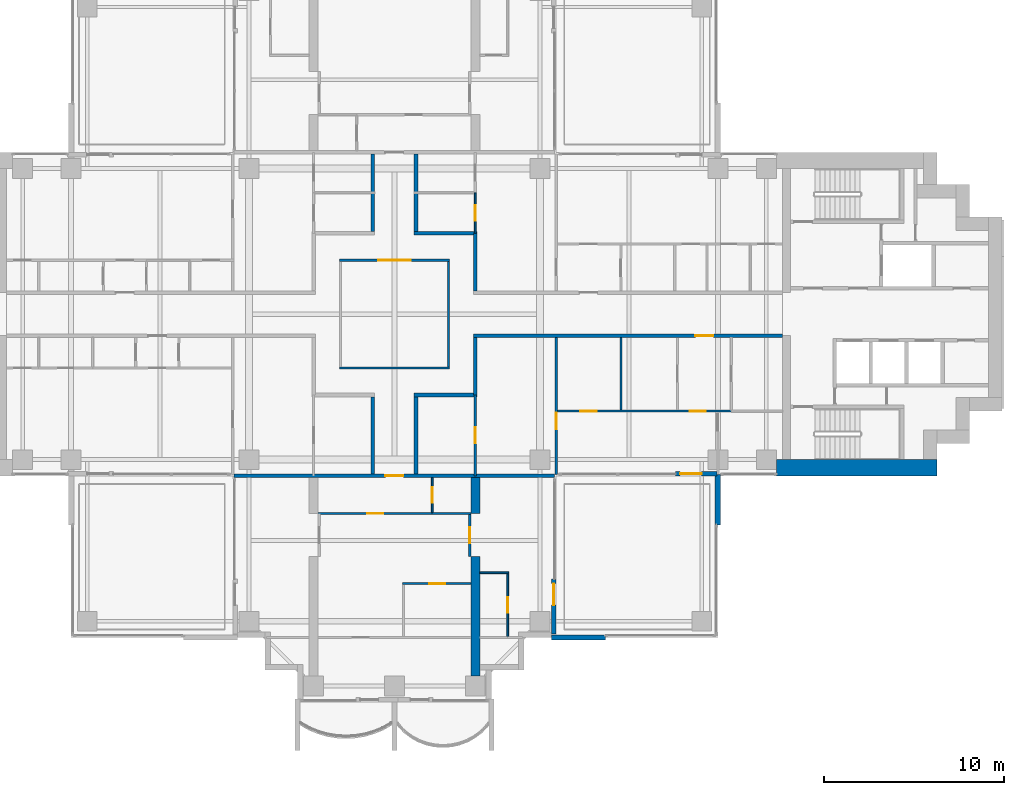
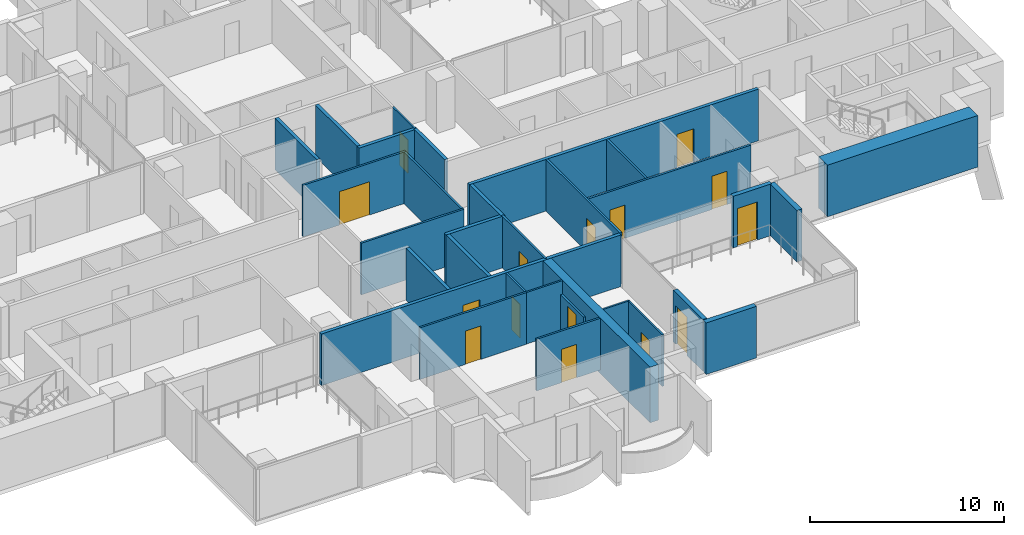
# One storey, part 11 of 19: 31 walls, 15 doors, 15 openings.
"""IFC4 building model written with IfcOpenShell, lengths in metres."""

from ifc_helpers import new_model, si_unit, direction, frame, frame_2d, origin, place, context, subcontext, project, spatial, polyline, rectangle, outline, extrude, material, layer, layer_set, material_profile, profile_set, type_object, element, fill, save


model = new_model("IFC4")

# Units and contexts
model_context = context("Model", 3, precision=1e-05, world=origin(), true_north=direction((0.0, 1.0)))
body_context = subcontext(model_context, "Body", "Model", "MODEL_VIEW")
ifc_project = project(units=[si_unit("LENGTHUNIT", "METRE"), si_unit("AREAUNIT", "SQUARE_METRE"), si_unit("VOLUMEUNIT", "CUBIC_METRE"), si_unit("PLANEANGLEUNIT", "RADIAN"), si_unit("MASSUNIT", "GRAM", prefix="KILO")], contexts=[model_context])

# Site, building, storey
site_placement = place(None, origin())
site = spatial("IfcSite", under=ifc_project, at=site_placement, CompositionType="ELEMENT")
building_placement = place(site_placement, origin())
building = spatial("IfcBuilding", under=site, at=building_placement, Name="Perihelion Cross Residences", CompositionType="ELEMENT")
storey_placement = place(building_placement, frame((0.0, 0.0, 109.39990234375)))
storey = spatial("IfcBuildingStorey", under=building, at=storey_placement, Name="L25", CompositionType="ELEMENT", Elevation=109.39990234375)

# Walls
ifc_material_1 = material(Name="Plasterboard partition")
ifc_layer_1 = layer(ifc_material_1, 0.199951171875)
ifc_layer_set_1 = layer_set([ifc_layer_1], Name="Apartment separation wall 200")
wall_type_1 = type_object("IfcWallType", Name="Apartment separation wall 200", PredefinedType="PARTITIONING", material=ifc_layer_set_1)
wall_1_placement = place(storey_placement, frame((4.5, 4.5, 0.0), z_axis=(0.0, 0.0, 1.0), x_axis=(0.0, -1.0, 0.0)))
element("IfcWall", 1, at=wall_1_placement, inside=storey, type_object=wall_type_1, Name="Partition L25 W006", PredefinedType="PARTITIONING", context=body_context, shape_type="SweptSolid", body=[
    extrude(rectangle(XDim=3.199951171875, YDim=0.199951171875, at=frame_2d((1.60009765625, 0.0))), origin(), (0.0, 0.0, 1.0), 3.25),
])
wall_2_placement = place(storey_placement, frame((1.199951171875, 8.89990234375, 0.0), z_axis=(0.0, 0.0, 1.0), x_axis=(0.0, -1.0, 0.0)))
element("IfcWall", 2, at=wall_2_placement, inside=storey, type_object=wall_type_1, Name="Partition L25 W007", PredefinedType="PARTITIONING", context=body_context, shape_type="SweptSolid", body=[
    extrude(rectangle(XDim=4.2998046875, YDim=0.199951171875, at=frame_2d((2.14990234375, 0.0))), origin(), (0.0, 0.0, 1.0), 3.25),
])
wall_3_placement = place(storey_placement, frame((1.10009765625, 4.5, 0.0), z_axis=(0.0, 0.0, 1.0), x_axis=(1.0, 0.0, 0.0)))
element("IfcWall", 3, at=wall_3_placement, inside=storey, type_object=wall_type_1, Name="Partition L25 W008", PredefinedType="PARTITIONING", context=body_context, shape_type="SweptSolid", body=[
    extrude(rectangle(XDim=3.5, YDim=0.199951171875, at=frame_2d((1.75, 0.0))), origin(), (0.0, 0.0, 1.0), 3.25),
])

# Wall, opening, door
wall_4_placement = place(storey_placement, frame((21.60009765625, -1.199951171875, 0.0), z_axis=(0.0, 0.0, 1.0), x_axis=(-1.0, 0.0, 0.0)))
wall_4 = element("IfcWall", 4, at=wall_4_placement, inside=storey, type_object=wall_type_1, Name="Partition L25 W009", PredefinedType="PARTITIONING", context=body_context, shape_type="SweptSolid", body=[
    extrude(rectangle(XDim=17.2001953125, YDim=0.199951171875, at=frame_2d((8.60009765625, 0.0))), origin(), (0.0, 0.0, 1.0), 3.25),
])
opening_1_placement = place(wall_4_placement, frame((3.85009765625, 0.0, 0.0)))
opening_1 = element("IfcOpeningElement", 5, at=opening_1_placement, cuts=wall_4, Name="Opening L25.A47", PredefinedType="OPENING", context=body_context, shape_type="SweptSolid", body=[
    extrude(rectangle(XDim=1.0, YDim=2.10009765625, at=frame_2d((0.5, 1.050048828125))), frame((0.0, 0.10986328125, 0.0), z_axis=(0.0, -1.0, 0.0), x_axis=(1.0, 0.0, 0.0)), (0.0, 0.0, 1.0), 0.219970703125),
])
ifc_material_2 = material(Name="Timber door leaf", Category="wood")
door_type_1 = type_object("IfcDoorType", Name="Flat entrance door 1000 x 2100", OperationType="SINGLE_SWING_LEFT", PredefinedType="DOOR", material=ifc_material_2)
door_1_placement = place(opening_1_placement, origin())
door_1 = element("IfcDoor", 6, at=door_1_placement, inside=storey, type_object=door_type_1, Name="Door L25.A47", OperationType="SINGLE_SWING_LEFT", OverallHeight=2.10009765625, OverallWidth=1.0, PredefinedType="DOOR", context=body_context, shape_type="SweptSolid", body=[
    extrude(rectangle(XDim=1.0, YDim=2.10009765625, at=frame_2d((0.5, 1.050048828125))), frame((0.0, 0.02490234375, 0.0), z_axis=(0.0, -1.0, 0.0), x_axis=(1.0, 0.0, 0.0)), (0.0, 0.0, 1.0), 0.050048828125),
])
fill(opening_1, door_1)

# Walls
wall_5_placement = place(storey_placement, frame((4.5, -1.300048828125, 0.0), z_axis=(0.0, 0.0, 1.0), x_axis=(0.0, -1.0, 0.0)))
element("IfcWall", 7, at=wall_5_placement, inside=storey, type_object=wall_type_1, Name="Partition L25 W010", PredefinedType="PARTITIONING", context=body_context, shape_type="SweptSolid", body=[
    extrude(rectangle(XDim=3.199951171875, YDim=0.199951171875, at=frame_2d((1.60009765625, 0.0))), origin(), (0.0, 0.0, 1.0), 3.25),
])
wall_6_placement = place(storey_placement, frame((4.60009765625, -4.5, 0.0), z_axis=(0.0, 0.0, 1.0), x_axis=(-1.0, 0.0, 0.0)))
element("IfcWall", 8, at=wall_6_placement, inside=storey, type_object=wall_type_1, Name="Partition L25 W011", PredefinedType="PARTITIONING", context=body_context, shape_type="SweptSolid", body=[
    extrude(rectangle(XDim=3.5, YDim=0.199951171875, at=frame_2d((1.75, 0.0))), origin(), (0.0, 0.0, 1.0), 3.25),
])
for number, where, z_axis, x_axis, name in (
    (9, (1.199951171875, -4.60009765625, 0.0), (0.0, 0.0, 1.0), (0.0, -1.0, 0.0), "Partition L25 W012"),
    (10, (-1.199951171875, 4.60009765625, 0.0), (0.0, 0.0, 1.0), (0.0, 1.0, 0.0), "Partition L25 W016"),
    (11, (-1.199951171875, -8.89990234375, 0.0), (0.0, 0.0, 1.0), (0.0, 1.0, 0.0), "Partition L25 W019"),
):
    element("IfcWall", number, at=place(storey_placement, frame(where, z_axis=z_axis, x_axis=x_axis)), inside=storey, type_object=wall_type_1, Name=name, PredefinedType="PARTITIONING", context=body_context, shape_type="SweptSolid", body=[
        extrude(rectangle(XDim=4.2998046875, YDim=0.199951171875, at=frame_2d((2.14990234375, 0.0))), origin(), (0.0, 0.0, 1.0), 3.25),
    ])

# Wall, opening, door
wall_7_placement = place(storey_placement, frame((8.919921875, -9.0, 0.0), z_axis=(0.0, 0.0, 1.0), x_axis=(-1.0, 0.0, 0.0)))
wall_7 = element("IfcWall", 12, at=wall_7_placement, inside=storey, type_object=wall_type_1, Name="Partition L25 W022", PredefinedType="PARTITIONING", context=body_context, shape_type="SweptSolid", body=[
    extrude(rectangle(XDim=17.83984375, YDim=0.199951171875, at=frame_2d((8.919921875, 0.0))), origin(), (0.0, 0.0, 1.0), 3.25),
])
opening_2_placement = place(wall_7_placement, frame((8.419921875, 0.0, 0.0)))
opening_2 = element("IfcOpeningElement", 13, at=opening_2_placement, cuts=wall_7, Name="Opening L25.A40", PredefinedType="OPENING", context=body_context, shape_type="SweptSolid", body=[
    extrude(rectangle(XDim=1.0, YDim=2.10009765625, at=frame_2d((0.5, 1.050048828125))), frame((0.0, 0.10986328125, 0.0), z_axis=(0.0, -1.0, 0.0), x_axis=(1.0, 0.0, 0.0)), (0.0, 0.0, 1.0), 0.219970703125),
])
door_2_placement = place(opening_2_placement, origin())
door_2 = element("IfcDoor", 14, at=door_2_placement, inside=storey, type_object=door_type_1, Name="Door L25.A40", OperationType="SINGLE_SWING_RIGHT", OverallHeight=2.10009765625, OverallWidth=1.0, PredefinedType="DOOR", context=body_context, shape_type="SweptSolid", body=[
    extrude(rectangle(XDim=1.0, YDim=2.10009765625, at=frame_2d((0.5, 1.050048828125))), frame((0.0, 0.02490234375, 0.0), z_axis=(0.0, -1.0, 0.0), x_axis=(1.0, 0.0, 0.0)), (0.0, 0.0, 1.0), 0.050048828125),
])
fill(opening_2, door_2)

ifc_material_3 = material(Name="Concrete C30/37, bronze-clad", Category="concrete")
ifc_layer_2 = layer(ifc_material_3, 0.25)
ifc_layer_set_2 = layer_set([ifc_layer_2], Name="Bronze-clad pier wall 250")
wall_type_2 = type_object("IfcWallType", Name="Bronze-clad pier wall 250", PredefinedType="SOLIDWALL", material=ifc_layer_set_2)
wall_8_placement = place(storey_placement, frame((8.875, -17.800048828125, 0.0), z_axis=(0.0, 0.0, 1.0), x_axis=(0.0, 1.0, 0.0)))
wall_8 = element("IfcWall", 15, at=wall_8_placement, inside=storey, type_object=wall_type_2, Name="Wall FW1 L25 south side east bay 1 pier", PredefinedType="SOLIDWALL", context=body_context, shape_type="SweptSolid", body=[
    extrude(rectangle(XDim=3.050048828125, YDim=0.25, at=frame_2d((1.52490234375, 0.0))), origin(), (0.0, 0.0, 1.0), 3.25),
])
opening_3_placement = place(wall_8_placement, frame((1.60009765625, 0.0, 0.0)))
opening_3 = element("IfcOpeningElement", 16, at=opening_3_placement, cuts=wall_8, Name="Opening L25.E13", PredefinedType="OPENING", context=body_context, shape_type="SweptSolid", body=[
    extrude(rectangle(XDim=1.199951171875, YDim=2.39990234375, at=frame_2d((0.60009765625, 1.199951171875))), frame((0.0, 0.135009765625, 0.0), z_axis=(0.0, -1.0, 0.0), x_axis=(1.0, 0.0, 0.0)), (0.0, 0.0, 1.0), 0.27001953125),
])
ifc_material_4 = material(Name="Bronze anodised aluminium, glazed", Category="aluminium")
door_type_2 = type_object("IfcDoorType", Name="Balcony door 1200 x 2400", OperationType="NOTDEFINED", PredefinedType="DOOR", material=ifc_material_4)
door_3_placement = place(opening_3_placement, origin())
door_3 = element("IfcDoor", 17, at=door_3_placement, inside=storey, type_object=door_type_2, Name="Door L25.E13 south side east bay 1", OperationType="SINGLE_SWING_RIGHT", OverallHeight=2.39990234375, OverallWidth=1.199951171875, PredefinedType="DOOR", context=body_context, shape_type="SweptSolid", body=[
    extrude(rectangle(XDim=1.199951171875, YDim=2.39990234375, at=frame_2d((0.60009765625, 1.199951171875))), frame((0.0, 0.02490234375, 0.0), z_axis=(0.0, -1.0, 0.0), x_axis=(1.0, 0.0, 0.0)), (0.0, 0.0, 1.0), 0.050048828125),
])
fill(opening_3, door_3)

wall_9_placement = place(storey_placement, frame((15.64990234375, -8.875, 0.0), z_axis=(0.0, 0.0, 1.0), x_axis=(1.0, 0.0, 0.0)))
wall_9 = element("IfcWall", 18, at=wall_9_placement, inside=storey, type_object=wall_type_2, Name="Wall FW1 L25 east side south bay 1 pier", PredefinedType="SOLIDWALL", context=body_context, shape_type="SweptSolid", body=[
    extrude(rectangle(XDim=2.2900390625, YDim=0.25, at=frame_2d((1.14501953125, 0.0))), origin(), (0.0, 0.0, 1.0), 3.25),
])
opening_4_placement = place(wall_9_placement, frame((0.25, 0.0, 0.0)))
opening_4 = element("IfcOpeningElement", 19, at=opening_4_placement, cuts=wall_9, Name="Opening L25.E14", PredefinedType="OPENING", context=body_context, shape_type="SweptSolid", body=[
    extrude(rectangle(XDim=1.199951171875, YDim=2.39990234375, at=frame_2d((0.60009765625, 1.199951171875))), frame((0.0, 0.135009765625, 0.0), z_axis=(0.0, -1.0, 0.0), x_axis=(1.0, 0.0, 0.0)), (0.0, 0.0, 1.0), 0.27001953125),
])
door_4_placement = place(opening_4_placement, origin())
door_4 = element("IfcDoor", 20, at=door_4_placement, inside=storey, type_object=door_type_2, Name="Door L25.E14 east side south bay 1", OperationType="SINGLE_SWING_LEFT", OverallHeight=2.39990234375, OverallWidth=1.199951171875, PredefinedType="DOOR", context=body_context, shape_type="SweptSolid", body=[
    extrude(rectangle(XDim=1.199951171875, YDim=2.39990234375, at=frame_2d((0.60009765625, 1.199951171875))), frame((0.0, 0.02490234375, 0.0), z_axis=(0.0, -1.0, 0.0), x_axis=(1.0, 0.0, 0.0)), (0.0, 0.0, 1.0), 0.050048828125),
])
fill(opening_4, door_4)

# Wall
ifc_material_5 = material(Name="Concrete C60/75", Category="concrete")
ifc_layer_3 = layer(ifc_material_5, 0.89990234375)
ifc_layer_set_3 = layer_set([ifc_layer_3], Name="Core wall, outer 900")
wall_type_3 = type_object("IfcWallType", Name="Core wall, outer 900", PredefinedType="SHEAR", material=ifc_layer_set_3)
wall_10_placement = place(storey_placement, frame((21.25, -8.550048828125, 0.0), z_axis=(0.0, 0.0, 1.0), x_axis=(1.0, 0.0, 0.0)))
element("IfcWall", 21, at=wall_10_placement, inside=storey, type_object=wall_type_3, Name="East core core wall, outer", PredefinedType="SHEAR", context=body_context, shape_type="SweptSolid", body=[
    extrude(rectangle(XDim=8.949951171875, YDim=0.89990234375, at=frame_2d((4.47509765625, 0.0))), origin(), (0.0, 0.0, 1.0), 3.25),
])

# Wall, opening, door
ifc_material_6 = material(Name="Plasterboard partition")
ifc_layer_4 = layer(ifc_material_6, 0.1201171875)
ifc_layer_set_4 = layer_set([ifc_layer_4], Name="Infill panel 120")
wall_type_4 = type_object("IfcWallType", Name="Infill panel 120", PredefinedType="PARTITIONING", material=ifc_layer_set_4)
wall_11_placement = place(storey_placement, frame((4.18994140625, -11.10009765625, 0.0), z_axis=(0.0, 0.0, 1.0), x_axis=(0.0, -1.0, 0.0)))
wall_11 = element("IfcWall", 22, at=wall_11_placement, inside=storey, type_object=wall_type_4, Name="Partition L25 WI05", PredefinedType="PARTITIONING", context=body_context, shape_type="SweptSolid", body=[
    extrude(rectangle(XDim=2.39990234375, YDim=0.1201171875, at=frame_2d((1.199951171875, 0.0))), origin(), (0.0, 0.0, 1.0), 2.400146484375),
])
opening_5_placement = place(wall_11_placement, frame((0.75, 0.0, 0.0)))
opening_5 = element("IfcOpeningElement", 23, at=opening_5_placement, cuts=wall_11, Name="Opening L25.A54", PredefinedType="OPENING", context=body_context, shape_type="SweptSolid", body=[
    extrude(rectangle(XDim=0.89990234375, YDim=2.10009765625, at=frame_2d((0.449951171875, 1.050048828125))), frame((0.0, 0.070068359375, 0.0), z_axis=(0.0, -1.0, 0.0), x_axis=(1.0, 0.0, 0.0)), (0.0, 0.0, 1.0), 0.14013671875),
])
ifc_material_7 = material(Name="Timber door leaf", Category="wood")
door_type_3 = type_object("IfcDoorType", Name="Interior room door 900 x 2100", OperationType="SINGLE_SWING_LEFT", PredefinedType="DOOR", material=ifc_material_7)
door_5_placement = place(opening_5_placement, origin())
door_5 = element("IfcDoor", 24, at=door_5_placement, inside=storey, type_object=door_type_3, Name="Door L25.A54", OperationType="SINGLE_SWING_LEFT", OverallHeight=2.10009765625, OverallWidth=0.89990234375, PredefinedType="DOOR", context=body_context, shape_type="SweptSolid", body=[
    extrude(rectangle(XDim=0.89990234375, YDim=2.10009765625, at=frame_2d((0.449951171875, 1.050048828125))), frame((0.0, 0.02490234375, 0.0), z_axis=(0.0, -1.0, 0.0), x_axis=(1.0, 0.0, 0.0)), (0.0, 0.0, 1.0), 0.050048828125),
])
fill(opening_5, door_5)

# Walls
ifc_material_8 = material(Name="Plasterboard partition")
ifc_layer_5 = layer(ifc_material_8, 0.1201171875)
ifc_layer_set_5 = layer_set([ifc_layer_5], Name="Partition wall 120")
wall_type_5 = type_object("IfcWallType", Name="Partition wall 120", PredefinedType="PARTITIONING", material=ifc_layer_set_5)
wall_12_placement = place(storey_placement, frame((-3.06005859375, -3.0, 0.0), z_axis=(0.0, 0.0, 1.0), x_axis=(1.0, 0.0, 0.0)))
element("IfcWall", 25, at=wall_12_placement, inside=storey, type_object=wall_type_5, Name="Partition L25 W001", PredefinedType="PARTITIONING", context=body_context, shape_type="SweptSolid", body=[
    extrude(rectangle(XDim=6.1201171875, YDim=0.1201171875, at=frame_2d((3.06005859375, 0.0))), origin(), (0.0, 0.0, 1.0), 3.25),
])
wall_13_placement = place(storey_placement, frame((3.0, -2.93994140625, 0.0), z_axis=(0.0, 0.0, 1.0), x_axis=(0.0, 1.0, 0.0)))
element("IfcWall", 26, at=wall_13_placement, inside=storey, type_object=wall_type_5, Name="Partition L25 W002", PredefinedType="PARTITIONING", context=body_context, shape_type="SweptSolid", body=[
    extrude(rectangle(XDim=5.8798828125, YDim=0.1201171875, at=frame_2d((2.93994140625, 0.0))), origin(), (0.0, 0.0, 1.0), 3.25),
])

# Wall, opening, door
wall_14_placement = place(storey_placement, frame((3.06005859375, 3.0, 0.0), z_axis=(0.0, 0.0, 1.0), x_axis=(-1.0, 0.0, 0.0)))
wall_14 = element("IfcWall", 27, at=wall_14_placement, inside=storey, type_object=wall_type_5, Name="Partition L25 W003", PredefinedType="PARTITIONING", context=body_context, shape_type="SweptSolid", body=[
    extrude(rectangle(XDim=6.1201171875, YDim=0.1201171875, at=frame_2d((3.06005859375, 0.0))), origin(), (0.0, 0.0, 1.0), 3.25),
])
opening_6_placement = place(wall_14_placement, frame((2.159912109375, 0.0, 0.0)))
opening_6 = element("IfcOpeningElement", 28, at=opening_6_placement, cuts=wall_14, Name="Opening L25.A01", PredefinedType="OPENING", context=body_context, shape_type="SweptSolid", body=[
    extrude(rectangle(XDim=1.800048828125, YDim=2.10009765625, at=frame_2d((0.89990234375, 1.050048828125))), frame((0.0, 0.070068359375, 0.0), z_axis=(0.0, -1.0, 0.0), x_axis=(1.0, 0.0, 0.0)), (0.0, 0.0, 1.0), 0.14013671875),
])
ifc_material_9 = material(Name="Glazed timber door leaf", Category="wood")
door_type_4 = type_object("IfcDoorType", Name="Interior double leaf door 1800 x 2100", OperationType="DOUBLE_DOOR_SINGLE_SWING", PredefinedType="DOOR", material=ifc_material_9)
door_6_placement = place(opening_6_placement, origin())
door_6 = element("IfcDoor", 29, at=door_6_placement, inside=storey, type_object=door_type_4, Name="Door L25.A01", OperationType="SINGLE_SWING_LEFT", OverallHeight=2.10009765625, OverallWidth=1.800048828125, PredefinedType="DOOR", context=body_context, shape_type="SweptSolid", body=[
    extrude(rectangle(XDim=1.800048828125, YDim=2.10009765625, at=frame_2d((0.89990234375, 1.050048828125))), frame((0.0, 0.02490234375, 0.0), z_axis=(0.0, -1.0, 0.0), x_axis=(1.0, 0.0, 0.0)), (0.0, 0.0, 1.0), 0.050048828125),
])
fill(opening_6, door_6)

# Wall
wall_15_placement = place(storey_placement, frame((12.60009765625, -1.300048828125, 0.0), z_axis=(0.0, 0.0, 1.0), x_axis=(0.0, -1.0, 0.0)))
element("IfcWall", 30, at=wall_15_placement, inside=storey, type_object=wall_type_5, Name="Partition L25 W034", PredefinedType="PARTITIONING", context=body_context, shape_type="SweptSolid", body=[
    extrude(rectangle(XDim=4.0400390625, YDim=0.1201171875, at=frame_2d((2.02001953125, 0.0))), origin(), (0.0, 0.0, 1.0), 3.25),
])

# Wall, openings, doors
wall_16_placement = place(storey_placement, frame((18.75, -5.39990234375, 0.0), z_axis=(0.0, 0.0, 1.0), x_axis=(-1.0, 0.0, 0.0)))
wall_16 = element("IfcWall", 31, at=wall_16_placement, inside=storey, type_object=wall_type_5, Name="Partition L25 W035", PredefinedType="PARTITIONING", context=body_context, shape_type="SweptSolid", body=[
    extrude(rectangle(XDim=9.81005859375, YDim=0.1201171875, at=frame_2d((4.905029296875, 0.0))), origin(), (0.0, 0.0, 1.0), 3.25),
])
opening_7_placement = place(wall_16_placement, frame((7.5, 0.0, 0.0)))
opening_7 = element("IfcOpeningElement", 32, at=opening_7_placement, cuts=wall_16, Name="Opening L25.A13", PredefinedType="OPENING", context=body_context, shape_type="SweptSolid", body=[
    extrude(rectangle(XDim=0.89990234375, YDim=2.10009765625, at=frame_2d((0.449951171875, 1.050048828125))), frame((0.0, 0.070068359375, 0.0), z_axis=(0.0, -1.0, 0.0), x_axis=(1.0, 0.0, 0.0)), (0.0, 0.0, 1.0), 0.14013671875),
])
opening_8_placement = place(wall_16_placement, frame((1.425048828125, 0.0, 0.0)))
opening_8 = element("IfcOpeningElement", 33, at=opening_8_placement, cuts=wall_16, Name="Opening L25.A14", PredefinedType="OPENING", context=body_context, shape_type="SweptSolid", body=[
    extrude(rectangle(XDim=0.89990234375, YDim=2.10009765625, at=frame_2d((0.449951171875, 1.050048828125))), frame((0.0, 0.070068359375, 0.0), z_axis=(0.0, -1.0, 0.0), x_axis=(1.0, 0.0, 0.0)), (0.0, 0.0, 1.0), 0.14013671875),
])
door_7_placement = place(opening_7_placement, origin())
door_7 = element("IfcDoor", 34, at=door_7_placement, inside=storey, type_object=door_type_3, Name="Door L25.A13", OperationType="SINGLE_SWING_LEFT", OverallHeight=2.10009765625, OverallWidth=0.89990234375, PredefinedType="DOOR", context=body_context, shape_type="SweptSolid", body=[
    extrude(rectangle(XDim=0.89990234375, YDim=2.10009765625, at=frame_2d((0.449951171875, 1.050048828125))), frame((0.0, 0.02490234375, 0.0), z_axis=(0.0, -1.0, 0.0), x_axis=(1.0, 0.0, 0.0)), (0.0, 0.0, 1.0), 0.050048828125),
])
fill(opening_7, door_7)
door_8_placement = place(opening_8_placement, origin())
door_8 = element("IfcDoor", 35, at=door_8_placement, inside=storey, type_object=door_type_3, Name="Door L25.A14", OperationType="SINGLE_SWING_RIGHT", OverallHeight=2.10009765625, OverallWidth=0.89990234375, PredefinedType="DOOR", context=body_context, shape_type="SweptSolid", body=[
    extrude(rectangle(XDim=0.89990234375, YDim=2.10009765625, at=frame_2d((0.449951171875, 1.050048828125))), frame((0.0, 0.02490234375, 0.0), z_axis=(0.0, -1.0, 0.0), x_axis=(1.0, 0.0, 0.0)), (0.0, 0.0, 1.0), 0.050048828125),
])
fill(opening_8, door_8)

# Wall, opening, door
wall_17_placement = place(storey_placement, frame((9.0, -8.919921875, 0.0), z_axis=(0.0, 0.0, 1.0), x_axis=(0.0, 1.0, 0.0)))
wall_17 = element("IfcWall", 36, at=wall_17_placement, inside=storey, type_object=wall_type_5, Name="Partition L25 W036", PredefinedType="PARTITIONING", context=body_context, shape_type="SweptSolid", body=[
    extrude(rectangle(XDim=7.619873046875, YDim=0.1201171875, at=frame_2d((3.81005859375, 0.0))), origin(), (0.0, 0.0, 1.0), 3.25),
])
opening_9_placement = place(wall_17_placement, frame((2.52001953125, 0.0, 0.0)))
opening_9 = element("IfcOpeningElement", 37, at=opening_9_placement, cuts=wall_17, Name="Opening L25.A15", PredefinedType="OPENING", context=body_context, shape_type="SweptSolid", body=[
    extrude(rectangle(XDim=0.89990234375, YDim=2.10009765625, at=frame_2d((0.449951171875, 1.050048828125))), frame((0.0, 0.070068359375, 0.0), z_axis=(0.0, -1.0, 0.0), x_axis=(1.0, 0.0, 0.0)), (0.0, 0.0, 1.0), 0.14013671875),
])
door_9_placement = place(opening_9_placement, origin())
door_9 = element("IfcDoor", 38, at=door_9_placement, inside=storey, type_object=door_type_3, Name="Door L25.A15", OperationType="SINGLE_SWING_LEFT", OverallHeight=2.10009765625, OverallWidth=0.89990234375, PredefinedType="DOOR", context=body_context, shape_type="SweptSolid", body=[
    extrude(rectangle(XDim=0.89990234375, YDim=2.10009765625, at=frame_2d((0.449951171875, 1.050048828125))), frame((0.0, 0.02490234375, 0.0), z_axis=(0.0, -1.0, 0.0), x_axis=(1.0, 0.0, 0.0)), (0.0, 0.0, 1.0), 0.050048828125),
])
fill(opening_9, door_9)

wall_18_placement = place(storey_placement, frame((4.5, -9.0, 0.0), z_axis=(0.0, 0.0, 1.0), x_axis=(0.0, 1.0, 0.0)))
wall_18 = element("IfcWall", 39, at=wall_18_placement, inside=storey, type_object=wall_type_5, Name="Partition L25 W041", PredefinedType="PARTITIONING", context=body_context, shape_type="SweptSolid", body=[
    extrude(rectangle(XDim=4.5, YDim=0.1201171875, at=frame_2d((2.25, 0.0))), origin(), (0.0, 0.0, 1.0), 3.25),
])
opening_10_placement = place(wall_18_placement, frame((1.800048828125, 0.0, 0.0)))
opening_10 = element("IfcOpeningElement", 40, at=opening_10_placement, cuts=wall_18, Name="Opening L25.A11", PredefinedType="OPENING", context=body_context, shape_type="SweptSolid", body=[
    extrude(rectangle(XDim=0.89990234375, YDim=2.10009765625, at=frame_2d((0.449951171875, 1.050048828125))), frame((0.0, 0.070068359375, 0.0), z_axis=(0.0, -1.0, 0.0), x_axis=(1.0, 0.0, 0.0)), (0.0, 0.0, 1.0), 0.14013671875),
])
door_10_placement = place(opening_10_placement, origin())
door_10 = element("IfcDoor", 41, at=door_10_placement, inside=storey, type_object=door_type_3, Name="Door L25.A11", OperationType="SINGLE_SWING_RIGHT", OverallHeight=2.10009765625, OverallWidth=0.89990234375, PredefinedType="DOOR", context=body_context, shape_type="SweptSolid", body=[
    extrude(rectangle(XDim=0.89990234375, YDim=2.10009765625, at=frame_2d((0.449951171875, 1.050048828125))), frame((0.0, 0.02490234375, 0.0), z_axis=(0.0, -1.0, 0.0), x_axis=(1.0, 0.0, 0.0)), (0.0, 0.0, 1.0), 0.050048828125),
])
fill(opening_10, door_10)

wall_19_placement = place(storey_placement, frame((2.10009765625, -11.10009765625, 0.0), z_axis=(0.0, 0.0, 1.0), x_axis=(-1.0, 0.0, 0.0)))
wall_19 = element("IfcWall", 42, at=wall_19_placement, inside=storey, type_object=wall_type_5, Name="Partition L25 W079", PredefinedType="PARTITIONING", context=body_context, shape_type="SweptSolid", body=[
    extrude(rectangle(XDim=6.35009765625, YDim=0.1201171875, at=frame_2d((3.175048828125, 0.0))), origin(), (0.0, 0.0, 1.0), 3.25),
])
opening_11_placement = place(wall_19_placement, frame((2.72509765625, 0.0, 0.0)))
opening_11 = element("IfcOpeningElement", 43, at=opening_11_placement, cuts=wall_19, Name="Opening L25.A42", PredefinedType="OPENING", context=body_context, shape_type="SweptSolid", body=[
    extrude(rectangle(XDim=0.89990234375, YDim=2.10009765625, at=frame_2d((0.449951171875, 1.050048828125))), frame((0.0, 0.070068359375, 0.0), z_axis=(0.0, -1.0, 0.0), x_axis=(1.0, 0.0, 0.0)), (0.0, 0.0, 1.0), 0.14013671875),
])
door_11_placement = place(opening_11_placement, origin())
door_11 = element("IfcDoor", 44, at=door_11_placement, inside=storey, type_object=door_type_3, Name="Door L25.A42", OperationType="SINGLE_SWING_RIGHT", OverallHeight=2.10009765625, OverallWidth=0.89990234375, PredefinedType="DOOR", context=body_context, shape_type="SweptSolid", body=[
    extrude(rectangle(XDim=0.89990234375, YDim=2.10009765625, at=frame_2d((0.449951171875, 1.050048828125))), frame((0.0, 0.02490234375, 0.0), z_axis=(0.0, -1.0, 0.0), x_axis=(1.0, 0.0, 0.0)), (0.0, 0.0, 1.0), 0.050048828125),
])
fill(opening_11, door_11)

wall_20_placement = place(storey_placement, frame((4.25, -15.0, 0.0), z_axis=(0.0, 0.0, 1.0), x_axis=(-1.0, 0.0, 0.0)))
wall_20 = element("IfcWall", 45, at=wall_20_placement, inside=storey, type_object=wall_type_5, Name="Partition L25 W081", PredefinedType="PARTITIONING", context=body_context, shape_type="SweptSolid", body=[
    extrude(rectangle(XDim=3.81005859375, YDim=0.1201171875, at=frame_2d((1.905029296875, 0.0))), origin(), (0.0, 0.0, 1.0), 3.25),
])
opening_12_placement = place(wall_20_placement, frame((1.425048828125, 0.0, 0.0)))
opening_12 = element("IfcOpeningElement", 46, at=opening_12_placement, cuts=wall_20, Name="Opening L25.A43", PredefinedType="OPENING", context=body_context, shape_type="SweptSolid", body=[
    extrude(rectangle(XDim=0.89990234375, YDim=2.10009765625, at=frame_2d((0.449951171875, 1.050048828125))), frame((0.0, 0.070068359375, 0.0), z_axis=(0.0, -1.0, 0.0), x_axis=(1.0, 0.0, 0.0)), (0.0, 0.0, 1.0), 0.14013671875),
])
door_12_placement = place(opening_12_placement, origin())
door_12 = element("IfcDoor", 47, at=door_12_placement, inside=storey, type_object=door_type_3, Name="Door L25.A43", OperationType="SINGLE_SWING_RIGHT", OverallHeight=2.10009765625, OverallWidth=0.89990234375, PredefinedType="DOOR", context=body_context, shape_type="SweptSolid", body=[
    extrude(rectangle(XDim=0.89990234375, YDim=2.10009765625, at=frame_2d((0.449951171875, 1.050048828125))), frame((0.0, 0.02490234375, 0.0), z_axis=(0.0, -1.0, 0.0), x_axis=(1.0, 0.0, 0.0)), (0.0, 0.0, 1.0), 0.050048828125),
])
fill(opening_12, door_12)

# Walls
ifc_material_10 = material(Name="Precast concrete C50/60", Category="concrete")
ifc_layer_6 = layer(ifc_material_10, 0.300048828125)
ifc_layer_set_6 = layer_set([ifc_layer_6], Name="Precast concrete C50/60 blade wall 300")
wall_type_6 = type_object("IfcWallType", Name="Precast concrete C50/60 blade wall 300", PredefinedType="SOLIDWALL", material=ifc_layer_set_6)
wall_21_placement = place(storey_placement, frame((8.75, -18.0, 0.0), z_axis=(0.0, 0.0, 1.0), x_axis=(1.0, 0.0, 0.0)))
element("IfcWall", 48, at=wall_21_placement, inside=storey, type_object=wall_type_6, Name="Wall BL1 L25 no. 14", PredefinedType="SOLIDWALL", context=body_context, shape_type="SweptSolid", body=[
    extrude(rectangle(XDim=2.989990234375, YDim=0.300048828125, at=frame_2d((1.4951171875, 0.0))), origin(), (0.0, 0.0, 1.0), 3.25),
])
wall_22_placement = place(storey_placement, frame((18.0, -8.919921875, 0.0), z_axis=(0.0, 0.0, 1.0), x_axis=(0.0, -1.0, 0.0)))
element("IfcWall", 49, at=wall_22_placement, inside=storey, type_object=wall_type_6, Name="Wall BL1 L25 no. 10", PredefinedType="SOLIDWALL", context=body_context, shape_type="SweptSolid", body=[
    extrude(rectangle(XDim=2.820068359375, YDim=0.300048828125, at=frame_2d((1.41015625, 0.0))), origin(), (0.0, 0.0, 1.0), 3.25),
])
ifc_material_11 = material(Name="Concrete C60/75", Category="concrete")
ifc_material_profile = material_profile(ifc_material_11, outline(polyline([(0.0, 0.0), (6.64990234375, 0.0), (6.64990234375, 2.64990234375), (9.050048828125, 2.64990234375), (9.050048828125, 0.0), (11.14990234375, 0.0), (11.14990234375, 3.5), (0.0, 3.5), (0.0, 0.0)])), Name="Tip spine wall")
ifc_profile_set = profile_set([ifc_material_profile], Name="Concrete C60/75")
wall_type_7 = type_object("IfcWallType", Name="Tip spine wall 500 with 1 door openings 11150 long 3500 high concrete C60/75", PredefinedType="SHEAR", material=ifc_profile_set)
wall_23_placement = place(storey_placement, frame((4.25, -20.14990234375, -0.25), z_axis=(1.0, 0.0, 0.0), x_axis=(0.0, 1.0, 0.0)))
element("IfcWall", 50, at=wall_23_placement, inside=storey, type_object=wall_type_7, Name="Shear wall SW33 L25 south east", PredefinedType="SHEAR", context=body_context, shape_type="SweptSolid", body=[
    extrude(outline(polyline([(0.0, 0.0), (6.64990234375, 0.0), (6.64990234375, 2.64990234375), (9.050048828125, 2.64990234375), (9.050048828125, 0.0), (11.14990234375, 0.0), (11.14990234375, 3.5), (0.0, 3.5), (0.0, 0.0)])), origin(), (0.0, 0.0, 1.0), 0.5),
])

# Wall, opening, door
ifc_material_12 = material(Name="Plasterboard partition")
ifc_layer_7 = layer(ifc_material_12, 0.10009765625)
ifc_layer_set_7 = layer_set([ifc_layer_7], Name="Wet room wall 100")
wall_type_8 = type_object("IfcWallType", Name="Wet room wall 100", PredefinedType="PARTITIONING", material=ifc_layer_set_7)
wall_24_placement = place(storey_placement, frame((4.5, 4.5, 0.0), z_axis=(0.0, 0.0, 1.0), x_axis=(0.0, 1.0, 0.0)))
wall_24 = element("IfcWall", 51, at=wall_24_placement, inside=storey, type_object=wall_type_8, Name="Partition L25 W031", PredefinedType="PARTITIONING", context=body_context, shape_type="SweptSolid", body=[
    extrude(rectangle(XDim=2.25, YDim=0.10009765625, at=frame_2d((1.125, 0.0))), origin(), (0.0, 0.0, 1.0), 3.25),
])
opening_13_placement = place(wall_24_placement, frame((0.699951171875, 0.0, 0.0)))
opening_13 = element("IfcOpeningElement", 52, at=opening_13_placement, cuts=wall_24, Name="Opening L25.A04", PredefinedType="OPENING", context=body_context, shape_type="SweptSolid", body=[
    extrude(rectangle(XDim=0.85009765625, YDim=2.10009765625, at=frame_2d((0.425048828125, 1.050048828125))), frame((0.0, 0.06005859375, 0.0), z_axis=(0.0, -1.0, 0.0), x_axis=(1.0, 0.0, 0.0)), (0.0, 0.0, 1.0), 0.1201171875),
])
ifc_material_13 = material(Name="Timber door leaf", Category="wood")
door_type_5 = type_object("IfcDoorType", Name="Interior bathroom door 850 x 2100", OperationType="SINGLE_SWING_LEFT", PredefinedType="DOOR", material=ifc_material_13)
door_13_placement = place(opening_13_placement, origin())
door_13 = element("IfcDoor", 53, at=door_13_placement, inside=storey, type_object=door_type_5, Name="Door L25.A04", OperationType="SINGLE_SWING_RIGHT", OverallHeight=2.10009765625, OverallWidth=0.85009765625, PredefinedType="DOOR", context=body_context, shape_type="SweptSolid", body=[
    extrude(rectangle(XDim=0.85009765625, YDim=2.10009765625, at=frame_2d((0.425048828125, 1.050048828125))), frame((0.0, 0.02490234375, 0.0), z_axis=(0.0, -1.0, 0.0), x_axis=(1.0, 0.0, 0.0)), (0.0, 0.0, 1.0), 0.050048828125),
])
fill(opening_13, door_13)

wall_25_placement = place(storey_placement, frame((2.10009765625, -9.10009765625, 0.0), z_axis=(0.0, 0.0, 1.0), x_axis=(0.0, -1.0, 0.0)))
wall_25 = element("IfcWall", 54, at=wall_25_placement, inside=storey, type_object=wall_type_8, Name="Partition L25 W078", PredefinedType="PARTITIONING", context=body_context, shape_type="SweptSolid", body=[
    extrude(rectangle(XDim=1.93994140625, YDim=0.10009765625, at=frame_2d((0.969970703125, 0.0))), origin(), (0.0, 0.0, 1.0), 3.25),
])
opening_14_placement = place(wall_25_placement, frame((0.544921875, 0.0, 0.0)))
opening_14 = element("IfcOpeningElement", 55, at=opening_14_placement, cuts=wall_25, Name="Opening L25.A41", PredefinedType="OPENING", context=body_context, shape_type="SweptSolid", body=[
    extrude(rectangle(XDim=0.85009765625, YDim=2.10009765625, at=frame_2d((0.425048828125, 1.050048828125))), frame((0.0, 0.06005859375, 0.0), z_axis=(0.0, -1.0, 0.0), x_axis=(1.0, 0.0, 0.0)), (0.0, 0.0, 1.0), 0.1201171875),
])
door_14_placement = place(opening_14_placement, origin())
door_14 = element("IfcDoor", 56, at=door_14_placement, inside=storey, type_object=door_type_5, Name="Door L25.A41", OperationType="SINGLE_SWING_LEFT", OverallHeight=2.10009765625, OverallWidth=0.85009765625, PredefinedType="DOOR", context=body_context, shape_type="SweptSolid", body=[
    extrude(rectangle(XDim=0.85009765625, YDim=2.10009765625, at=frame_2d((0.425048828125, 1.050048828125))), frame((0.0, 0.02490234375, 0.0), z_axis=(0.0, -1.0, 0.0), x_axis=(1.0, 0.0, 0.0)), (0.0, 0.0, 1.0), 0.050048828125),
])
fill(opening_14, door_14)

# Wall
wall_26_placement = place(storey_placement, frame((4.25, -11.10009765625, 0.0), z_axis=(0.0, 0.0, 1.0), x_axis=(-1.0, 0.0, 0.0)))
element("IfcWall", 57, at=wall_26_placement, inside=storey, type_object=wall_type_8, Name="Partition L25 W080", PredefinedType="PARTITIONING", context=body_context, shape_type="SweptSolid", body=[
    extrude(rectangle(XDim=2.14990234375, YDim=0.10009765625, at=frame_2d((1.074951171875, 0.0))), origin(), (0.0, 0.0, 1.0), 3.25),
])

# Wall, opening, door
wall_27_placement = place(storey_placement, frame((6.300048828125, -17.93994140625, 0.0), z_axis=(0.0, 0.0, 1.0), x_axis=(0.0, 1.0, 0.0)))
wall_27 = element("IfcWall", 58, at=wall_27_placement, inside=storey, type_object=wall_type_8, Name="Partition L25 W084", PredefinedType="PARTITIONING", context=body_context, shape_type="SweptSolid", body=[
    extrude(rectangle(XDim=3.489990234375, YDim=0.10009765625, at=frame_2d((1.7451171875, 0.0))), origin(), (0.0, 0.0, 1.0), 3.25),
])
opening_15_placement = place(wall_27_placement, frame((1.320068359375, 0.0, 0.0)))
opening_15 = element("IfcOpeningElement", 59, at=opening_15_placement, cuts=wall_27, Name="Opening L25.A45", PredefinedType="OPENING", context=body_context, shape_type="SweptSolid", body=[
    extrude(rectangle(XDim=0.85009765625, YDim=2.10009765625, at=frame_2d((0.425048828125, 1.050048828125))), frame((0.0, 0.06005859375, 0.0), z_axis=(0.0, -1.0, 0.0), x_axis=(1.0, 0.0, 0.0)), (0.0, 0.0, 1.0), 0.1201171875),
])
door_15_placement = place(opening_15_placement, origin())
door_15 = element("IfcDoor", 60, at=door_15_placement, inside=storey, type_object=door_type_5, Name="Door L25.A45", OperationType="SINGLE_SWING_RIGHT", OverallHeight=2.10009765625, OverallWidth=0.85009765625, PredefinedType="DOOR", context=body_context, shape_type="SweptSolid", body=[
    extrude(rectangle(XDim=0.85009765625, YDim=2.10009765625, at=frame_2d((0.425048828125, 1.050048828125))), frame((0.0, 0.02490234375, 0.0), z_axis=(0.0, -1.0, 0.0), x_axis=(1.0, 0.0, 0.0)), (0.0, 0.0, 1.0), 0.050048828125),
])
fill(opening_15, door_15)

# Wall
wall_28_placement = place(storey_placement, frame((6.35009765625, -14.39990234375, 0.0), z_axis=(0.0, 0.0, 1.0), x_axis=(-1.0, 0.0, 0.0)))
element("IfcWall", 61, at=wall_28_placement, inside=storey, type_object=wall_type_8, Name="Partition L25 W085", PredefinedType="PARTITIONING", context=body_context, shape_type="SweptSolid", body=[
    extrude(rectangle(XDim=1.60009765625, YDim=0.10009765625, at=frame_2d((0.800048828125, 0.0))), origin(), (0.0, 0.0, 1.0), 3.25),
])

save(model, "model.ifc")
